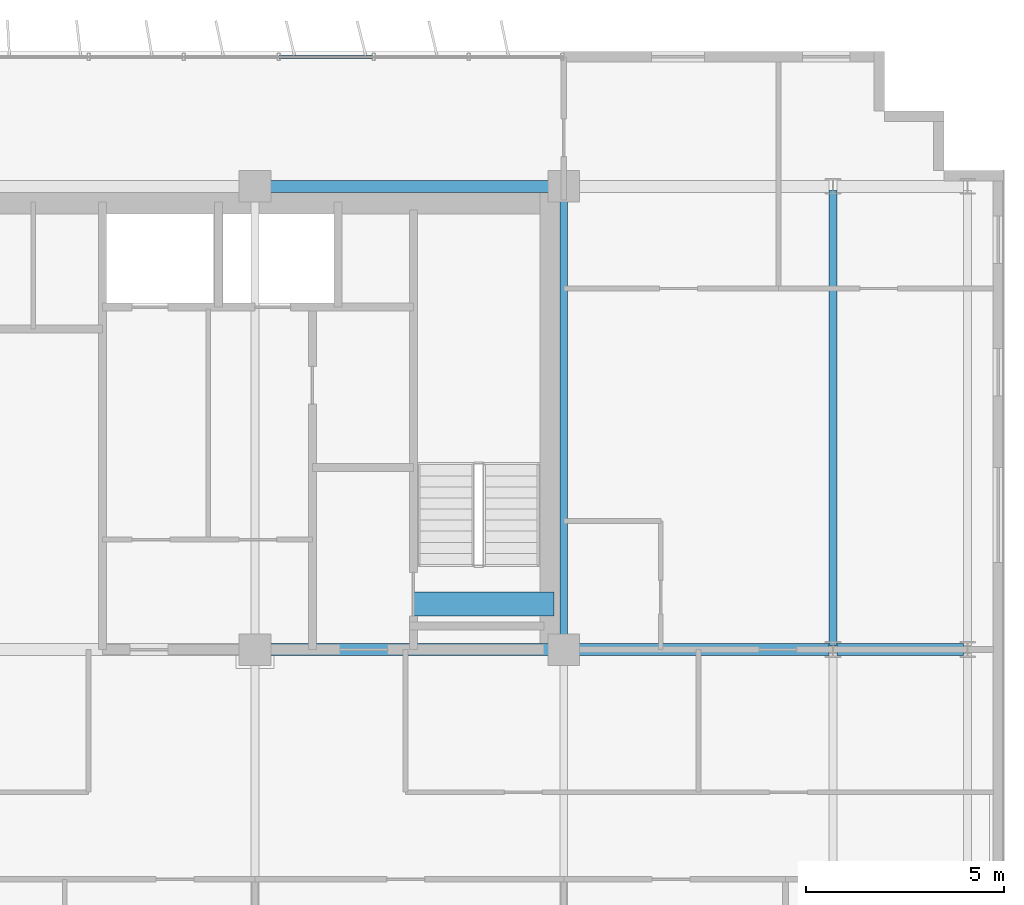
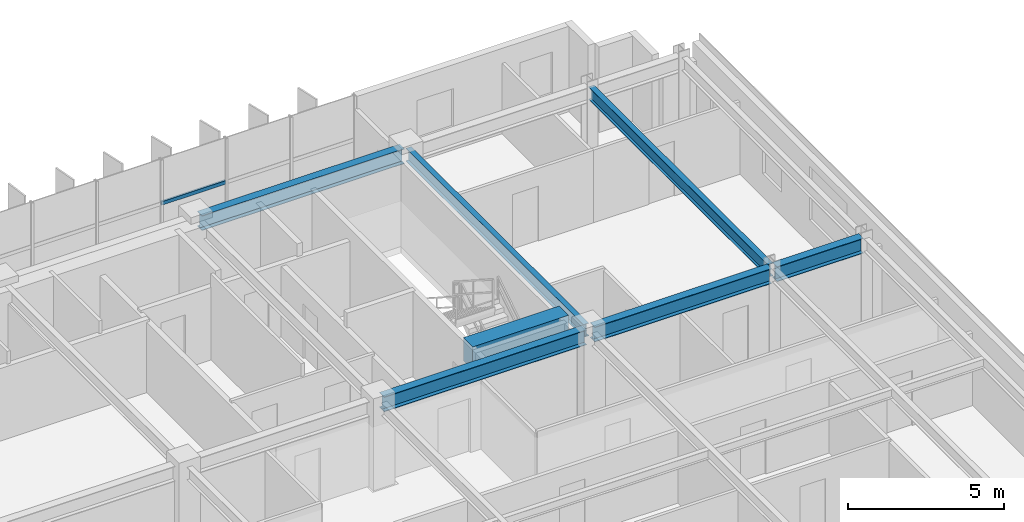
# One storey, part 10 of 22: 7 beams, 1 member, 1 element without a shape of its own.
"""IFC4 building model written with IfcOpenShell, lengths in metres."""

import ifcopenshell
import ifcopenshell.guid

model = None  # the IFC model being written
_history = None  # IfcOwnerHistory: only IFC2X3 demands one
_inside = {}  # id of a spatial element -> (the spatial element, [elements in it])
_under = {}  # id of a project, library or spatial element -> (it, [spatial elements below it])
_declared = {}  # id of a project -> (the project, [libraries it declares])
_typed = {}  # id of a type object -> (the type object, [elements of that type])
_made_of = {}  # id of a material, layer set ... -> (it, [elements and type objects made of it])


def new_model(schema):
    """Start an empty IFC model of exactly this schema.

    Asked for "IFC4X3", IfcOpenShell would pick the latest addendum, in which some entities
    have other attributes; the version numbers below select the first issue.
    IFC2X3 requires an IfcOwnerHistory on every rooted entity: one is made here for all.
    """
    global model, _history
    if schema == "IFC4X3":
        model = ifcopenshell.file(schema_version=(4, 3, 0, 0))
    else:
        model = ifcopenshell.file(schema=schema)
    _inside.clear()
    _under.clear()
    _declared.clear()
    _typed.clear()
    _made_of.clear()
    _history = None
    if model.schema == "IFC2X3":
        org = make("IfcOrganization", Name="unknown")
        user = make(
            "IfcPersonAndOrganization",
            ThePerson=make("IfcPerson", FamilyName="unknown"),
            TheOrganization=org,
        )
        app = make(
            "IfcApplication",
            ApplicationDeveloper=org,
            Version="unknown",
            ApplicationFullName="unknown",
            ApplicationIdentifier="unknown",
        )
        _history = make(
            "IfcOwnerHistory",
            OwningUser=user,
            OwningApplication=app,
            ChangeAction="ADDED",
            CreationDate=0,
        )
    return model


def make(cls, **values):
    """One entity of the class cls with the attributes given. An attribute that is None is left unset."""
    return model.create_entity(
        cls, **{name: value for name, value in values.items() if value is not None}
    )


def rooted(cls, **values):
    """An entity with a GlobalId (a new one), such as an element, a storey or a relation."""
    return make(cls, GlobalId=ifcopenshell.guid.new(), OwnerHistory=_history, **values)


def si_unit(unit_type, name, prefix=None):
    """IfcSIUnit, for example si_unit("LENGTHUNIT", "METRE", prefix="MILLI")."""
    return make("IfcSIUnit", UnitType=unit_type, Prefix=prefix, Name=name)


def assignment(units):
    """IfcUnitAssignment: the units of a project."""
    return None if units is None else make("IfcUnitAssignment", Units=units)


def point(xyz):
    """IfcCartesianPoint."""
    return None if xyz is None else make("IfcCartesianPoint", Coordinates=xyz)


def direction(xyz):
    """IfcDirection."""
    return None if xyz is None else make("IfcDirection", DirectionRatios=xyz)


def frame(location, z_axis=None, x_axis=None):
    """IfcAxis2Placement3D, a coordinate frame: its origin and axes. An axis left out is left unset."""
    return make(
        "IfcAxis2Placement3D",
        Location=point(location),
        Axis=direction(z_axis),
        RefDirection=direction(x_axis),
    )


def frame_2d(location, x_axis=None):
    """IfcAxis2Placement2D, a coordinate frame in the plane: its origin and x axis."""
    return make(
        "IfcAxis2Placement2D", Location=point(location), RefDirection=direction(x_axis)
    )


def origin():
    """The frame at (0, 0, 0) with its axes left unset."""
    return frame((0.0, 0.0, 0.0))


def origin_2d():
    """The frame at (0, 0) in the plane with its x axis left unset."""
    return frame_2d((0.0, 0.0))


def place(relative_to, where):
    """IfcLocalPlacement: puts the frame where relative to a parent placement (None: the world)."""
    return make(
        "IfcLocalPlacement", PlacementRelTo=relative_to, RelativePlacement=where
    )


def context(
    kind, dimensions, precision=None, world=None, true_north=None, identifier=None
):
    """IfcGeometricRepresentationContext, for example the 3D "Model" context."""
    return make(
        "IfcGeometricRepresentationContext",
        ContextIdentifier=identifier,
        ContextType=kind,
        CoordinateSpaceDimension=dimensions,
        Precision=precision,
        WorldCoordinateSystem=world,
        TrueNorth=true_north,
    )


def subcontext(parent, identifier, kind, view, scale=None):
    """IfcGeometricRepresentationSubContext, for example "Body" below "Model"."""
    return make(
        "IfcGeometricRepresentationSubContext",
        ContextIdentifier=identifier,
        ContextType=kind,
        ParentContext=parent,
        TargetScale=scale,
        TargetView=view,
    )


def project(units=None, contexts=None):
    """IfcProject with its units and contexts."""
    return rooted(
        "IfcProject",
        Name="project",
        RepresentationContexts=contexts,
        UnitsInContext=assignment(units),
    )


def spatial(cls, under=None, at=None, **own):
    """A site, building, storey or space (cls), placed at a placement, below another one or the project."""
    s = rooted(cls, ObjectPlacement=at, **own)
    if under is not None:
        _under.setdefault(under.id(), (under, []))[1].append(s)
    return s


def profile(cls, at=None, kind="AREA", **sizes):
    """A parametric profile (cls). Its sizes go by their IFC names, for example OverallWidth=200.0."""
    return make(cls, ProfileType=kind, Position=at, **sizes)


def rectangle(**sizes):
    """IfcRectangleProfileDef."""
    return profile("IfcRectangleProfileDef", **sizes)


def hollow_rectangle(**sizes):
    """IfcRectangleHollowProfileDef."""
    return profile("IfcRectangleHollowProfileDef", **sizes)


def i_section(**sizes):
    """IfcIShapeProfileDef."""
    return profile("IfcIShapeProfileDef", **sizes)


def extrude(swept, where, along, depth):
    """IfcExtrudedAreaSolid: the profile swept, set in the frame where, extruded along a direction by depth."""
    return make(
        "IfcExtrudedAreaSolid",
        SweptArea=swept,
        Position=where,
        ExtrudedDirection=direction(along),
        Depth=depth,
    )


def shape(context_of_items, identifier, shape_type, items):
    """IfcShapeRepresentation: the items that make up one representation, for example the "Body"."""
    return make(
        "IfcShapeRepresentation",
        ContextOfItems=context_of_items,
        RepresentationIdentifier=identifier,
        RepresentationType=shape_type,
        Items=items,
    )


def source(mapping_origin, context_of_items, identifier, shape_type, items):
    """IfcRepresentationMap: a shape defined once, which mapped items show again and again."""
    return make(
        "IfcRepresentationMap",
        MappingOrigin=mapping_origin,
        MappedRepresentation=shape(context_of_items, identifier, shape_type, items),
    )


def transform(
    local_origin,
    x_axis=None,
    y_axis=None,
    z_axis=None,
    scale=None,
    scale2=None,
    scale3=None,
    uniform=True,
):
    """IfcCartesianTransformationOperator3D, or its non-uniform kind. x_axis, y_axis, z_axis: its Axis1, 2, 3."""
    if uniform:
        return make(
            "IfcCartesianTransformationOperator3D",
            Axis1=direction(x_axis),
            Axis2=direction(y_axis),
            LocalOrigin=point(local_origin),
            Scale=scale,
            Axis3=direction(z_axis),
        )
    return make(
        "IfcCartesianTransformationOperator3DnonUniform",
        Axis1=direction(x_axis),
        Axis2=direction(y_axis),
        LocalOrigin=point(local_origin),
        Scale=scale,
        Axis3=direction(z_axis),
        Scale2=scale2,
        Scale3=scale3,
    )


def mapped(mapping_source, mapping_target):
    """IfcMappedItem: shows the shape of a source again, moved by a transform."""
    return make(
        "IfcMappedItem", MappingSource=mapping_source, MappingTarget=mapping_target
    )


def material(Name=None, Category=None):
    """IfcMaterial."""
    return make("IfcMaterial", Name=Name, Category=Category)


def material_profile(
    of_material, cross_section, Name=None, Category=None, Priority=None
):
    """IfcMaterialProfile: a cross section and its material."""
    return make(
        "IfcMaterialProfile",
        Name=Name,
        Material=of_material,
        Profile=cross_section,
        Priority=Priority,
        Category=Category,
    )


def profile_set(profiles, Name=None, composite=None):
    """IfcMaterialProfileSet."""
    return make(
        "IfcMaterialProfileSet",
        Name=Name,
        MaterialProfiles=profiles,
        CompositeProfile=composite,
    )


def made_of(thing, what):
    """Note that an element or type object is made of a material, layer set ...; save() writes the relation."""
    if what is not None:
        _made_of.setdefault(what.id(), (what, []))[1].append(thing)
    return thing


def type_object(cls, material=None, **own):
    """A type object (cls), such as IfcWallType, which elements share."""
    return made_of(rooted(cls, **own), material)


def element(
    cls,
    number,
    at=None,
    inside=None,
    cuts=None,
    type_object=None,
    material=None,
    context=None,
    identifier="Body",
    shape_type=None,
    held_by="IfcProductDefinitionShape",
    body=None,
    shapes=None,
    **own,
):
    """One element of the class cls, such as IfcWall. Its Tag is "e" and its number.

    at: its placement. inside: the storey or other place that contains it. cuts: it is an
    opening in that element (IfcRelVoidsElement). A single representation is given by context,
    identifier, shape_type and body (its items); several are given by shapes. held_by: the class
    of the entity that holds the representations. save() writes the other relations.
    """
    e = rooted(cls, Tag="e%d" % number, ObjectPlacement=at, **own)
    if body is not None:
        shapes = [shape(context, identifier, shape_type, body)]
    if shapes is not None:
        e.Representation = make(held_by, Representations=shapes)
    if inside is not None:
        _inside.setdefault(inside.id(), (inside, []))[1].append(e)
    if cuts is not None:
        rooted(
            "IfcRelVoidsElement", RelatingBuildingElement=cuts, RelatedOpeningElement=e
        )
    if type_object is not None:
        _typed.setdefault(type_object.id(), (type_object, []))[1].append(e)
    return made_of(e, material)


def aggregate(whole, parts):
    """IfcRelAggregates: a whole, such as a stair, and the parts it consists of."""
    return rooted("IfcRelAggregates", RelatingObject=whole, RelatedObjects=parts)


def save(model, path):
    """Write the relations noted so far, then the file.

    IfcRelAggregates (storeys below a building ...), IfcRelContainedInSpatialStructure (elements
    in a storey), IfcRelDefinesByType, IfcRelAssociatesMaterial and IfcRelDeclares: one each for
    every whole, place, type object, material and project.
    """
    for whole, parts in _under.values():
        aggregate(whole, parts)
    for where, things in _inside.values():
        rooted(
            "IfcRelContainedInSpatialStructure",
            RelatedElements=things,
            RelatingStructure=where,
        )
    for kind, things in _typed.values():
        rooted("IfcRelDefinesByType", RelatedObjects=things, RelatingType=kind)
    for what, things in _made_of.values():
        rooted("IfcRelAssociatesMaterial", RelatedObjects=things, RelatingMaterial=what)
    for by, libraries in _declared.values():
        rooted("IfcRelDeclares", RelatingContext=by, RelatedDefinitions=libraries)
    model.write(path)


model = new_model("IFC4")

# Units and contexts
model_context = context("Model", 3, precision=1e-05, world=origin(), true_north=direction((0.0, 1.0)))
body_context = subcontext(model_context, "Body", "Model", "MODEL_VIEW")
ifc_project = project(units=[si_unit("LENGTHUNIT", "METRE"), si_unit("AREAUNIT", "SQUARE_METRE"), si_unit("VOLUMEUNIT", "CUBIC_METRE"), si_unit("PLANEANGLEUNIT", "RADIAN"), si_unit("MASSUNIT", "GRAM", prefix="KILO")], contexts=[model_context])

# Site, building, storey
site_placement = place(None, origin())
site = spatial("IfcSite", under=ifc_project, at=site_placement, CompositionType="ELEMENT")
building_placement = place(site_placement, origin())
building = spatial("IfcBuilding", under=site, at=building_placement, Name="Trelvane Seafront Commons", CompositionType="ELEMENT")
storey_placement = place(building_placement, frame((0.0, 0.0, 114.10009765625)))
storey = spatial("IfcBuildingStorey", under=building, at=storey_placement, Name="L29", CompositionType="ELEMENT", Elevation=114.10009765625)

# Beams
ifc_material_1 = material(Name="Concrete C60/75", Category="concrete")
ifc_material_profile_1 = material_profile(ifc_material_1, rectangle(XDim=0.60009765625, YDim=0.89990234375, at=origin_2d()), Name="RC-600x900")
ifc_profile_set_1 = profile_set([ifc_material_profile_1], Name="Concrete C60/75")
beam_type_1 = type_object("IfcBeamType", Name="STR-LNT-RC600x900", PredefinedType="LINTEL", material=ifc_profile_set_1)
shared_shape_1 = source(origin(), body_context, "Body", "SweptSolid", [
    extrude(rectangle(XDim=0.60009765625, YDim=0.89990234375, at=origin_2d()), origin(), (0.0, 0.0, 1.0), 3.550048828125),
])
beam_1_placement = place(storey_placement, frame((55.0, 34.550048828125, 2.889892578125), z_axis=(1.0, 0.0, 0.0), x_axis=(0.0, 1.0, 0.0)))
element("IfcBeam", 1, at=beam_1_placement, inside=storey, type_object=beam_type_1, Name="L29 Core Coupling Lintel Beam CB-86", PredefinedType="LINTEL", context=body_context, shape_type="MappedRepresentation", body=[
    mapped(shared_shape_1, transform((0.0, 0.0, 0.0), x_axis=(1.0, 0.0, 0.0), y_axis=(0.0, 1.0, 0.0), z_axis=(0.0, 0.0, 1.0), scale=1.0)),
])
ifc_material_2 = material(Name="Steel SM355 (S355)", Category="steel")
ifc_material_profile_2 = material_profile(ifc_material_2, i_section(OverallWidth=0.300048828125, OverallDepth=0.587890625, WebThickness=0.011962890625, FlangeThickness=0.02001953125, at=origin_2d()), Name="H-588x300x12x20")
ifc_profile_set_2 = profile_set([ifc_material_profile_2], Name="Steel SM355 (S355)")
beam_type_2 = type_object("IfcBeamType", Name="STR-BM-H588", PredefinedType="BEAM", material=ifc_profile_set_2)
shared_shape_2 = source(origin(), body_context, "Body", "SweptSolid", [
    extrude(i_section(OverallWidth=0.300048828125, OverallDepth=0.587890625, WebThickness=0.011962890625, FlangeThickness=0.02001953125, at=origin_2d()), origin(), (0.0, 0.0, 1.0), 3.199951171875),
])
beam_2_placement = place(storey_placement, frame((65.699951171875, 33.39990234375, 3.0458984375), z_axis=(1.0, 0.0, 0.0), x_axis=(0.0, 1.0, 0.0)))
element("IfcBeam", 2, at=beam_2_placement, inside=storey, type_object=beam_type_2, Name="L29 Primary Girder G-27", PredefinedType="BEAM", context=body_context, shape_type="MappedRepresentation", body=[
    mapped(shared_shape_2, transform((0.0, 0.0, 0.0), x_axis=(1.0, 0.0, 0.0), y_axis=(0.0, 1.0, 0.0), z_axis=(0.0, 0.0, 1.0), scale=1.0)),
])
shared_shape_3 = source(origin(), body_context, "Body", "SweptSolid", [
    extrude(i_section(OverallWidth=0.300048828125, OverallDepth=0.587890625, WebThickness=0.011962890625, FlangeThickness=0.02001953125, at=origin_2d()), origin(), (0.0, 0.0, 1.0), 6.550048828125),
])
beam_3_placement = place(storey_placement, frame((58.949951171875, 33.39990234375, 3.0458984375), z_axis=(1.0, 0.0, 0.0), x_axis=(0.0, 1.0, 0.0)))
element("IfcBeam", 3, at=beam_3_placement, inside=storey, type_object=beam_type_2, Name="L29 Primary Girder G-26", PredefinedType="BEAM", context=body_context, shape_type="MappedRepresentation", body=[
    mapped(shared_shape_3, transform((0.0, 0.0, 0.0), x_axis=(1.0, 0.0, 0.0), y_axis=(0.0, 1.0, 0.0), z_axis=(0.0, 0.0, 1.0), scale=1.0)),
])
shared_shape_4 = source(origin(), body_context, "Body", "SweptSolid", [
    extrude(i_section(OverallWidth=0.300048828125, OverallDepth=0.587890625, WebThickness=0.011962890625, FlangeThickness=0.02001953125, at=origin_2d()), origin(), (0.0, 0.0, 1.0), 7.5),
])
for number, where, z_axis, x_axis, name in (
    (4, (51.14990234375, 33.39990234375, 3.0458984375), (1.0, 0.0, 0.0), (0.0, 1.0, 0.0), "L29 Primary Girder G-25"),
    (5, (51.14990234375, 45.10009765625, 3.0458984375), (1.0, 0.0, 0.0), (0.0, 1.0, 0.0), "L29 Primary Girder G-34"),
):
    element("IfcBeam", number, at=place(storey_placement, frame(where, z_axis=z_axis, x_axis=x_axis)), inside=storey, type_object=beam_type_2, Name=name, PredefinedType="BEAM", context=body_context, shape_type="MappedRepresentation", body=[
        mapped(shared_shape_4, transform((0.0, 0.0, 0.0), x_axis=(1.0, 0.0, 0.0), y_axis=(0.0, 1.0, 0.0), z_axis=(0.0, 0.0, 1.0), scale=1.0)),
    ])
ifc_material_profile_3 = material_profile(ifc_material_2, i_section(OverallWidth=0.199951171875, OverallDepth=0.5, WebThickness=0.010009765625, FlangeThickness=0.01611328125, at=origin_2d()), Name="H-500x200x10x16")
ifc_profile_set_3 = profile_set([ifc_material_profile_3], Name="Steel SM355 (S355)")
beam_type_3 = type_object("IfcBeamType", Name="STR-BM-H500", PredefinedType="BEAM", material=ifc_profile_set_3)
shared_shape_5 = source(origin(), body_context, "Body", "SweptSolid", [
    extrude(i_section(OverallWidth=0.199951171875, OverallDepth=0.5, WebThickness=0.010009765625, FlangeThickness=0.01611328125, at=origin_2d()), origin(), (0.0, 0.0, 1.0), 11.5),
])
beam_4_placement = place(storey_placement, frame((65.60009765625, 33.5, 3.08984375), z_axis=(0.0, 1.0, 0.0), x_axis=(-1.0, 0.0, 0.0)))
element("IfcBeam", 6, at=beam_4_placement, inside=storey, type_object=beam_type_3, Name="L29 Primary Girder G-63", PredefinedType="BEAM", context=body_context, shape_type="MappedRepresentation", body=[
    mapped(shared_shape_5, transform((0.0, 0.0, 0.0), x_axis=(1.0, 0.0, 0.0), y_axis=(0.0, 1.0, 0.0), z_axis=(0.0, 0.0, 1.0), scale=1.0)),
])
shared_shape_6 = source(origin(), body_context, "Body", "SweptSolid", [
    extrude(i_section(OverallWidth=0.199951171875, OverallDepth=0.5, WebThickness=0.010009765625, FlangeThickness=0.01611328125, at=origin_2d()), origin(), (0.0, 0.0, 1.0), 11.39990234375),
])
beam_5_placement = place(storey_placement, frame((58.800048828125, 33.550048828125, 3.08984375), z_axis=(0.0, 1.0, 0.0), x_axis=(-1.0, 0.0, 0.0)))
element("IfcBeam", 7, at=beam_5_placement, inside=storey, type_object=beam_type_3, Name="L29 Primary Girder G-60", PredefinedType="BEAM", context=body_context, shape_type="MappedRepresentation", body=[
    mapped(shared_shape_6, transform((0.0, 0.0, 0.0), x_axis=(1.0, 0.0, 0.0), y_axis=(0.0, 1.0, 0.0), z_axis=(0.0, 0.0, 1.0), scale=1.0)),
])

# Curtain wall, member
ifc_material_3 = material(Name="Anodised pale-silver aluminium", Category="aluminium")
curtain_wall_type = type_object("IfcCurtainWallType", Name="ARCH-CW4-SKYLOBBY", PredefinedType="NOTDEFINED", material=ifc_material_3)
curtain_wall_placement = place(storey_placement, origin())
curtain_wall = element("IfcCurtainWall", 8, at=curtain_wall_placement, inside=storey, type_object=curtain_wall_type, Name="CW-L29-0054", PredefinedType="NOTDEFINED")
ifc_material_profile_4 = material_profile(ifc_material_3, hollow_rectangle(XDim=0.074951171875, YDim=0.139892578125, WallThickness=0.00390625, at=origin_2d()), Name="TRAN-75x140x4")
ifc_profile_set_4 = profile_set([ifc_material_profile_4], Name="Anodised pale-silver aluminium")
member_type = type_object("IfcMemberType", Name="ARCH-CW-TRAN-140", PredefinedType="USERDEFINED", material=ifc_profile_set_4)
shared_shape_7 = source(origin(), body_context, "Body", "SweptSolid", [
    extrude(hollow_rectangle(XDim=0.074951171875, YDim=0.139892578125, WallThickness=0.00390625, at=origin_2d()), origin(), (0.0, 0.0, 1.0), 2.3759765625),
])
member_placement = place(storey_placement, frame((51.612060546875, 48.3701171875, 1.602783203125), z_axis=(1.0, 0.0, 0.0), x_axis=(0.0, 1.0, 0.0)))
member = element("IfcMember", 9, at=member_placement, type_object=member_type, Name="CW-L29-0054-T15", ObjectType="TRANSOM", PredefinedType="USERDEFINED", context=body_context, shape_type="MappedRepresentation", body=[
    mapped(shared_shape_7, transform((0.0, 0.0, 0.0), x_axis=(1.0, 0.0, 0.0), y_axis=(0.0, 1.0, 0.0), z_axis=(0.0, 0.0, 1.0), scale=1.0)),
])
aggregate(curtain_wall, [member])

save(model, "model.ifc")
